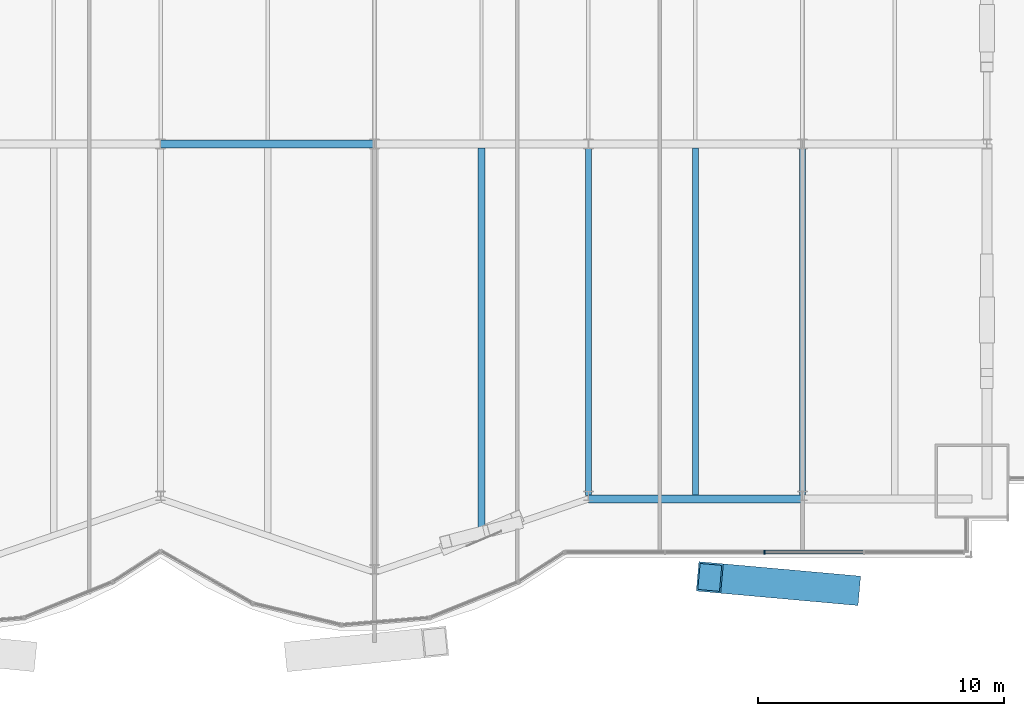
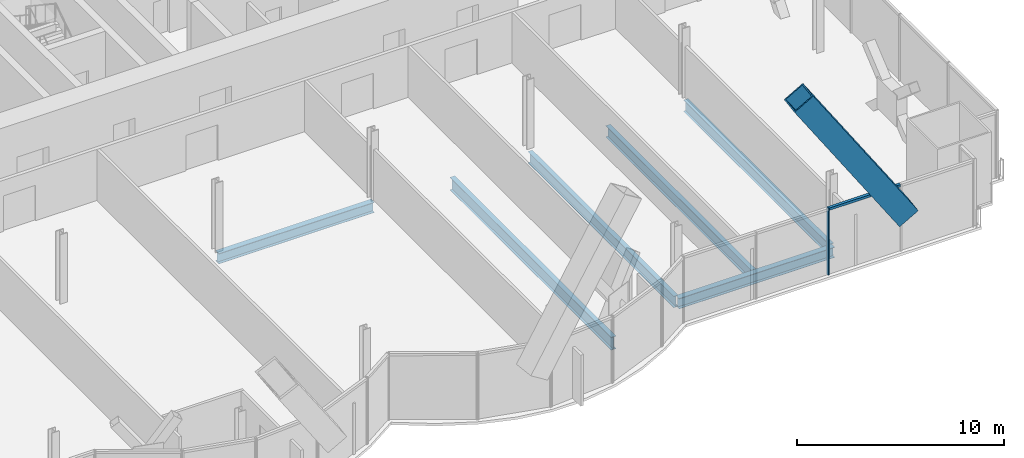
# One storey, part 9 of 22: 6 beams, 3 members, 1 element without a shape of its own.
"""IFC4 building model written with IfcOpenShell, lengths in metres."""

from ifc_helpers import new_model, si_unit, direction, frame, origin, origin_2d, place, context, subcontext, project, spatial, rectangle, hollow_rectangle, i_section, extrude, material, material_profile, profile_set, type_object, element, aggregate, save


model = new_model("IFC4")

# Units and contexts
model_context = context("Model", 3, precision=1e-05, world=origin(), true_north=direction((0.0, 1.0)))
body_context = subcontext(model_context, "Body", "Model", "MODEL_VIEW")
ifc_project = project(units=[si_unit("LENGTHUNIT", "METRE"), si_unit("AREAUNIT", "SQUARE_METRE"), si_unit("VOLUMEUNIT", "CUBIC_METRE"), si_unit("PLANEANGLEUNIT", "RADIAN"), si_unit("MASSUNIT", "GRAM", prefix="KILO")], contexts=[model_context])

# Site, building, storey
site_placement = place(None, origin())
site = spatial("IfcSite", under=ifc_project, at=site_placement, CompositionType="ELEMENT")
building_placement = place(site_placement, origin())
building = spatial("IfcBuilding", under=site, at=building_placement, Name="Bicima Exchange Tower", CompositionType="ELEMENT")
storey_placement = place(building_placement, frame((0.0, 0.0, 94.0)))
storey = spatial("IfcBuildingStorey", under=building, at=storey_placement, Name="L19", CompositionType="ELEMENT", Elevation=94.0)

# Member
ifc_material_1 = material(Name="Steel ASTM A572 Gr 50", Category="steel")
ifc_material_profile_1 = material_profile(ifc_material_1, hollow_rectangle(XDim=1.199951171875, YDim=1.199951171875, WallThickness=0.070068359375, at=origin_2d()))
ifc_profile_set_1 = profile_set([ifc_material_profile_1], Name="Steel ASTM A572 Gr 50")
member_type_1 = type_object("IfcMemberType", Name="Exo mega brace BOX 1200x1200x70", PredefinedType="BRACE", material=ifc_profile_set_1)
member_1_placement = place(storey_placement, frame((27.916748046875, -40.124755859375, 3.416748046875), z_axis=(-0.552134579453, 0.049540015612, 0.832281919199), x_axis=(-0.089365532808, -0.995998896358, 0.0)))
element("IfcMember", 1, at=member_1_placement, inside=storey, type_object=member_type_1, Name="Exo mega brace front", PredefinedType="BRACE", context=body_context, shape_type="SweptSolid", body=[
    extrude(hollow_rectangle(XDim=1.199951171875, YDim=1.199951171875, WallThickness=0.070068359375, at=origin_2d()), origin(), (0.0, 0.0, 1.0), 10.112548828125),
])

# Beams
ifc_material_2 = material(Name="Steel ASTM A992 Gr 50", Category="steel")
ifc_material_profile_2 = material_profile(ifc_material_2, i_section(OverallWidth=0.25390625, OverallDepth=0.67822265625, WebThickness=0.01171875, FlangeThickness=0.016357421875, at=origin_2d()))
ifc_profile_set_2 = profile_set([ifc_material_profile_2], Name="Steel ASTM A992 Gr 50")
beam_type_1 = type_object("IfcBeamType", Name="Floor beam W27x84", PredefinedType="JOIST", material=ifc_profile_set_2)
beam_1_placement = place(storey_placement, frame((17.39990234375, -22.16259765625, -0.489013671875), z_axis=(0.0, -1.0, 0.0), x_axis=(1.0, 0.0, 0.0)))
element("IfcBeam", 2, at=beam_1_placement, inside=storey, type_object=beam_type_1, Name="Floor beam", PredefinedType="JOIST", context=body_context, shape_type="SweptSolid", body=[
    extrude(i_section(OverallWidth=0.25390625, OverallDepth=0.67822265625, WebThickness=0.01171875, FlangeThickness=0.016357421875, at=origin_2d()), origin(), (0.0, 0.0, 1.0), 14.1298828125),
])
for number, where, z_axis, x_axis, name in (
    (3, (21.75, -22.16259765625, -0.489013671875), (0.0, -1.0, 0.0), (1.0, 0.0, 0.0), "Floor beam"),
    (4, (26.10009765625, -22.16259765625, -0.489013671875), (0.0, -1.0, 0.0), (1.0, 0.0, 0.0), "Floor beam"),
):
    element("IfcBeam", number, at=place(storey_placement, frame(where, z_axis=z_axis, x_axis=x_axis)), inside=storey, type_object=beam_type_1, Name=name, PredefinedType="JOIST", context=body_context, shape_type="SweptSolid", body=[
        extrude(i_section(OverallWidth=0.25390625, OverallDepth=0.67822265625, WebThickness=0.01171875, FlangeThickness=0.016357421875, at=origin_2d()), origin(), (0.0, 0.0, 1.0), 14.102783203125),
    ])
ifc_material_profile_3 = material_profile(ifc_material_2, i_section(OverallWidth=0.2666015625, OverallDepth=0.75439453125, WebThickness=0.01318359375, FlangeThickness=0.01708984375, at=origin_2d()))
ifc_profile_set_3 = profile_set([ifc_material_profile_3], Name="Steel ASTM A992 Gr 50")
beam_type_2 = type_object("IfcBeamType", Name="Floor beam W30x99", PredefinedType="JOIST", material=ifc_profile_set_3)
beam_2_placement = place(storey_placement, frame((13.050048828125, -22.16259765625, -0.527099609375), z_axis=(0.0, -1.0, 0.0), x_axis=(1.0, 0.0, 0.0)))
element("IfcBeam", 5, at=beam_2_placement, inside=storey, type_object=beam_type_2, Name="Floor beam", PredefinedType="JOIST", context=body_context, shape_type="SweptSolid", body=[
    extrude(i_section(OverallWidth=0.2666015625, OverallDepth=0.75439453125, WebThickness=0.01318359375, FlangeThickness=0.01708984375, at=origin_2d()), origin(), (0.0, 0.0, 1.0), 15.625244140625),
])
ifc_material_profile_4 = material_profile(ifc_material_2, i_section(OverallWidth=0.3251953125, OverallDepth=0.612060546875, WebThickness=0.0126953125, FlangeThickness=0.01904296875, at=origin_2d()))
ifc_profile_set_4 = profile_set([ifc_material_profile_4], Name="Steel ASTM A992 Gr 50")
beam_type_3 = type_object("IfcBeamType", Name="Front girder W24x104", PredefinedType="BEAM", material=ifc_profile_set_4)
beam_3_placement = place(storey_placement, frame((17.39990234375, -36.427978515625, -0.4560546875), z_axis=(1.0, 0.0, 0.0), x_axis=(0.0, 1.0, 0.0)))
element("IfcBeam", 6, at=beam_3_placement, inside=storey, type_object=beam_type_3, Name="Front girder", PredefinedType="BEAM", context=body_context, shape_type="SweptSolid", body=[
    extrude(i_section(OverallWidth=0.3251953125, OverallDepth=0.612060546875, WebThickness=0.0126953125, FlangeThickness=0.01904296875, at=origin_2d()), origin(), (0.0, 0.0, 1.0), 8.7001953125),
])

# Curtain wall, members
ifc_material_3 = material(Name="Anodised bronze aluminium", Category="aluminium")
curtain_wall_type = type_object("IfcCurtainWallType", Name="Front glass wall", PredefinedType="NOTDEFINED", material=ifc_material_3)
curtain_wall_placement = place(storey_placement, origin())
curtain_wall = element("IfcCurtainWall", 7, at=curtain_wall_placement, inside=storey, type_object=curtain_wall_type, Name="Front glass wall L19 run 16", PredefinedType="NOTDEFINED")
ifc_material_profile_5 = material_profile(ifc_material_3, rectangle(XDim=0.159912109375, YDim=0.06005859375, at=origin_2d()))
ifc_profile_set_5 = profile_set([ifc_material_profile_5], Name="Anodised bronze aluminium")
member_type_2 = type_object("IfcMemberType", Name="Front glass wall mullion 60 x 160", PredefinedType="MULLION", material=ifc_profile_set_5)
member_2_placement = place(storey_placement, frame((24.56103515625, -38.597900390625, 0.0), z_axis=(0.0, 0.0, 1.0), x_axis=(0.0, 1.0, 0.0)))
member_2 = element("IfcMember", 8, at=member_2_placement, type_object=member_type_2, Name="Front glass wall mullion 3", PredefinedType="MULLION", context=body_context, shape_type="SweptSolid", body=[
    extrude(rectangle(XDim=0.159912109375, YDim=0.06005859375, at=origin_2d()), origin(), (0.0, 0.0, 1.0), 3.949951171875),
])
ifc_material_profile_6 = material_profile(ifc_material_3, rectangle(XDim=0.159912109375, YDim=0.139892578125, at=origin_2d()))
ifc_profile_set_6 = profile_set([ifc_material_profile_6], Name="Anodised bronze aluminium")
member_type_3 = type_object("IfcMemberType", Name="Front glass wall transom 140 x 160", PredefinedType="USERDEFINED", material=ifc_profile_set_6)
member_3_placement = place(storey_placement, frame((24.591064453125, -38.597900390625, 3.8798828125), z_axis=(1.0, 0.0, 0.0), x_axis=(0.0, 1.0, 0.0)))
member_3 = element("IfcMember", 9, at=member_3_placement, type_object=member_type_3, Name="Front glass wall transom 3.1", ObjectType="TRANSOM", PredefinedType="USERDEFINED", context=body_context, shape_type="SweptSolid", body=[
    extrude(rectangle(XDim=0.159912109375, YDim=0.139892578125, at=origin_2d()), origin(), (0.0, 0.0, 1.0), 3.989501953125),
])
aggregate(curtain_wall, [member_2, member_3])

# Beam
beam_type_4 = type_object("IfcBeamType", Name="Row girder W24x104", PredefinedType="BEAM", material=ifc_profile_set_4)
beam_4_placement = place(storey_placement, frame((0.0, -22.0, -0.4560546875), z_axis=(1.0, 0.0, 0.0), x_axis=(0.0, 1.0, 0.0)))
element("IfcBeam", 10, at=beam_4_placement, inside=storey, type_object=beam_type_4, Name="Row girder", PredefinedType="BEAM", context=body_context, shape_type="SweptSolid", body=[
    extrude(i_section(OverallWidth=0.3251953125, OverallDepth=0.612060546875, WebThickness=0.0126953125, FlangeThickness=0.01904296875, at=origin_2d()), origin(), (0.0, 0.0, 1.0), 8.699951171875),
])

save(model, "model.ifc")
